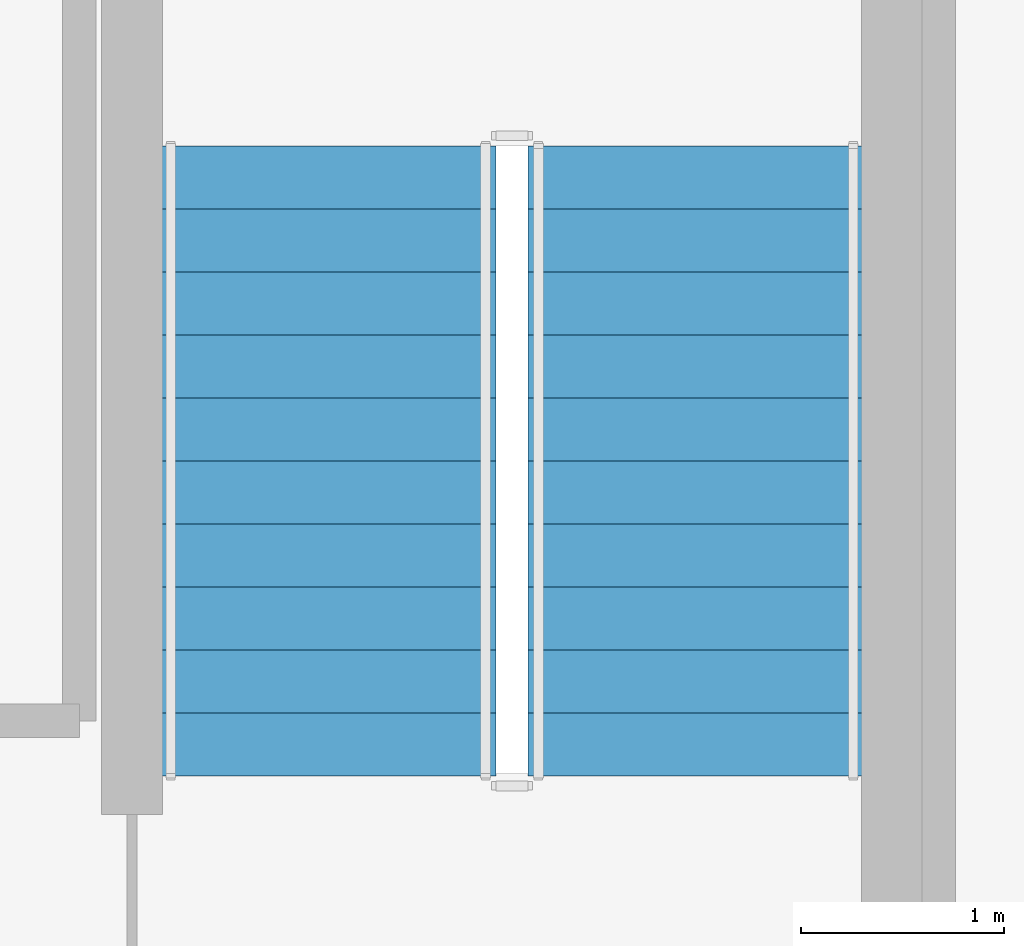
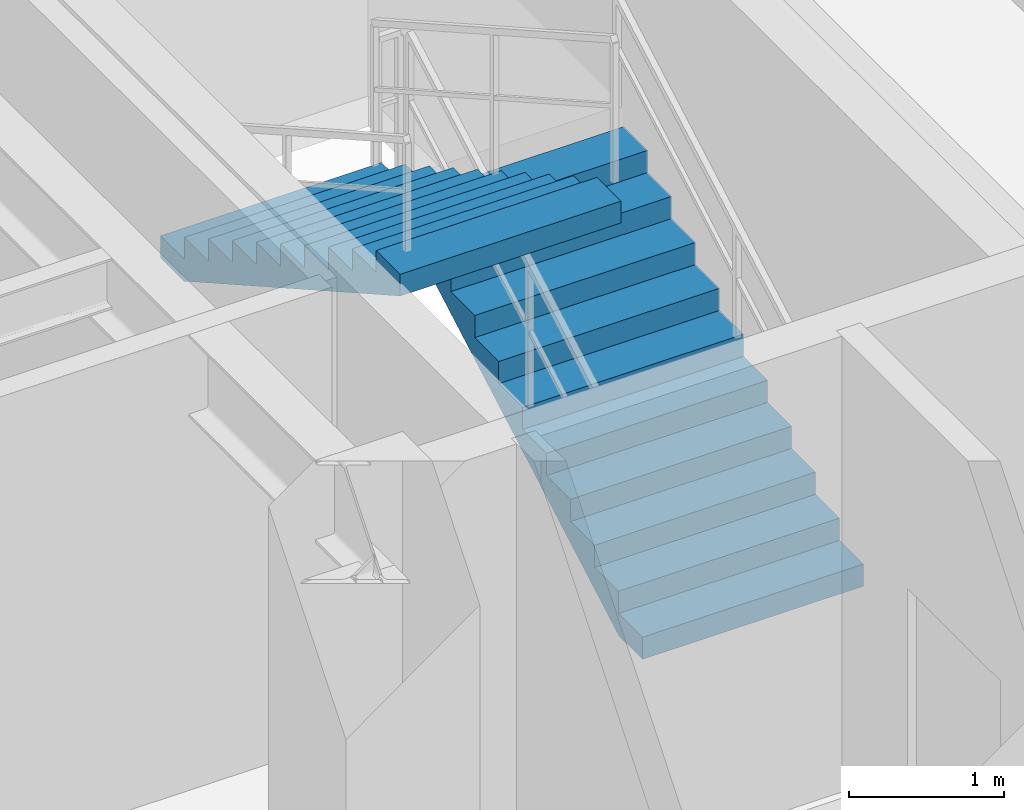
# One storey, part 7 of 11: 2 stair flights, 1 element without a shape of its own.
"""IFC4 building model written with IfcOpenShell, lengths in metres."""

from ifc_helpers import new_model, si_unit, direction, frame, origin, place, context, subcontext, project, spatial, polyline, outline, extrude, material, type_object, element, aggregate, save


model = new_model("IFC4")

# Units and contexts
model_context = context("Model", 3, precision=1e-05, world=origin(), true_north=direction((0.0, 1.0)))
body_context = subcontext(model_context, "Body", "Model", "MODEL_VIEW")
ifc_project = project(units=[si_unit("LENGTHUNIT", "METRE"), si_unit("AREAUNIT", "SQUARE_METRE"), si_unit("VOLUMEUNIT", "CUBIC_METRE"), si_unit("PLANEANGLEUNIT", "RADIAN"), si_unit("MASSUNIT", "GRAM", prefix="KILO")], contexts=[model_context])

# Site, building, storey
site_placement = place(None, origin())
site = spatial("IfcSite", under=ifc_project, at=site_placement, CompositionType="ELEMENT")
building_placement = place(site_placement, origin())
building = spatial("IfcBuilding", under=site, at=building_placement, Name="Kundavana Baori Tower", CompositionType="ELEMENT")
storey_placement = place(building_placement, frame((0.0, 0.0, 146.35009765625)))
storey = spatial("IfcBuildingStorey", under=building, at=storey_placement, Name="L35", CompositionType="ELEMENT", Elevation=146.35009765625)

# Stair, stair flights
ifc_material_1 = material(Name="Concrete C40/50", Category="concrete")
stair_type = type_object("IfcStairType", Name="STR-DOG-1650", PredefinedType="HALF_TURN_STAIR", material=ifc_material_1)
stair_placement = place(storey_placement, origin())
stair = element("IfcStair", 1, at=stair_placement, inside=storey, type_object=stair_type, Name="L35 Protected Exit Stair ST3", PredefinedType="HALF_TURN_STAIR")
ifc_material_2 = material(Name="Concrete C40/50", Category="concrete")
stair_flight_type = type_object("IfcStairFlightType", Name="SFL-RC-1650", PredefinedType="STRAIGHT", material=ifc_material_2)
stair_flight_1_placement = place(storey_placement, frame((37.7548828125, 34.949951171875, 0.0), z_axis=(0.0, 0.0, 1.0), x_axis=(0.0, 1.0, 0.0)))
stair_flight_1 = element("IfcStairFlight", 2, at=stair_flight_1_placement, type_object=stair_flight_type, Name="ST3 flight 1", NumberOfRisers=11, NumberOfTreads=10, PredefinedType="STRAIGHT", RiserHeight=0.175, TreadLength=0.31, context=body_context, shape_type="SweptSolid", body=[
    extrude(outline(polyline([(0.0, 0.0), (0.0, 0.175048828125), (0.31005859375, 0.175048828125), (0.31005859375, 0.35009765625), (0.6201171875, 0.35009765625), (0.6201171875, 0.52490234375), (0.929931640625, 0.52490234375), (0.929931640625, 0.699951171875), (1.239990234375, 0.699951171875), (1.239990234375, 0.875), (1.550048828125, 0.875), (1.550048828125, 1.050048828125), (1.860107421875, 1.050048828125), (1.860107421875, 1.22509765625), (2.169921875, 1.22509765625), (2.169921875, 1.39990234375), (2.47998046875, 1.39990234375), (2.47998046875, 1.574951171875), (2.7900390625, 1.574951171875), (2.7900390625, 1.75), (3.10009765625, 1.75), (3.10009765625, 1.925048828125), (3.10009765625, 1.577880859375), (0.304931640625, 0.0), (0.0, 0.0)])), frame((0.0, 0.824951171875, 0.0), z_axis=(0.0, -1.0, 0.0), x_axis=(1.0, 0.0, 0.0)), (0.0, 0.0, 1.0), 1.64990234375),
])
stair_flight_2_placement = place(storey_placement, frame((35.945068359375, 38.050048828125, 1.9248046875), z_axis=(0.0, 0.0, 1.0), x_axis=(0.0, -1.0, 0.0)))
stair_flight_2 = element("IfcStairFlight", 3, at=stair_flight_2_placement, type_object=stair_flight_type, Name="ST3 flight 2", NumberOfRisers=11, NumberOfTreads=10, PredefinedType="STRAIGHT", RiserHeight=0.175, TreadLength=0.31, context=body_context, shape_type="SweptSolid", body=[
    extrude(outline(polyline([(0.0, 0.0), (0.0, 0.175048828125), (0.31005859375, 0.175048828125), (0.31005859375, 0.35009765625), (0.6201171875, 0.35009765625), (0.6201171875, 0.52490234375), (0.929931640625, 0.52490234375), (0.929931640625, 0.699951171875), (1.239990234375, 0.699951171875), (1.239990234375, 0.875), (1.550048828125, 0.875), (1.550048828125, 1.050048828125), (1.860107421875, 1.050048828125), (1.860107421875, 1.22509765625), (2.169921875, 1.22509765625), (2.169921875, 1.39990234375), (2.47998046875, 1.39990234375), (2.47998046875, 1.574951171875), (2.7900390625, 1.574951171875), (2.7900390625, 1.75), (3.10009765625, 1.75), (3.10009765625, 1.925048828125), (3.10009765625, 1.577880859375), (0.304931640625, 0.0), (0.0, 0.0)])), frame((0.0, 0.824951171875, 0.0), z_axis=(0.0, -1.0, 0.0), x_axis=(1.0, 0.0, 0.0)), (0.0, 0.0, 1.0), 1.64990234375),
])
aggregate(stair, [stair_flight_1, stair_flight_2])

save(model, "model.ifc")
